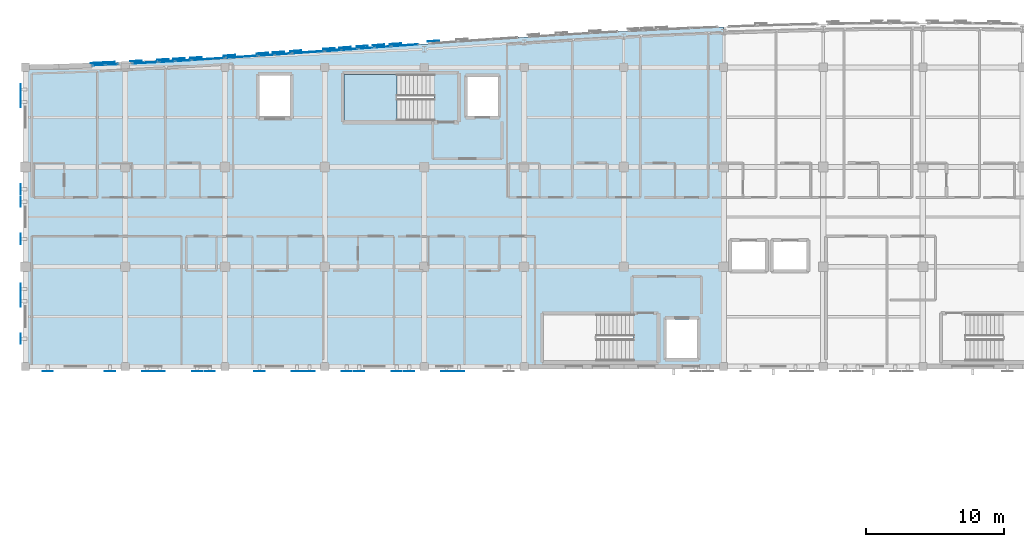
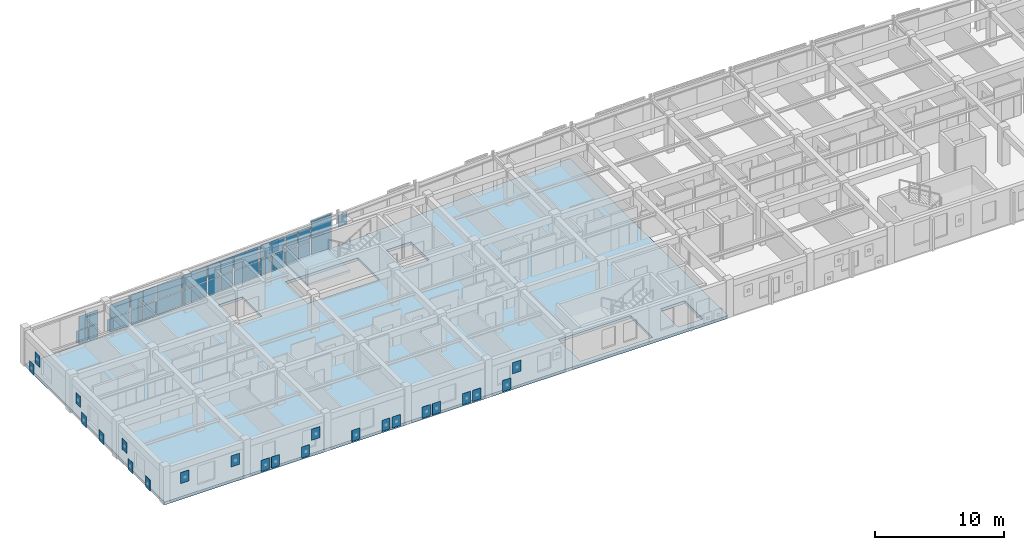
# One storey, part 51 of 73: 69 plates, 2 slabs, 11 elements without a shape of their own.
"""IFC4 building model written with IfcOpenShell, lengths in metres."""

from ifc_helpers import new_model, si_unit, direction, frame, origin, origin_2d, place, context, subcontext, project, spatial, polyline, rectangle, outline, extrude, material, layer, layer_set, type_object, element, aggregate, save


model = new_model("IFC4")

# Units and contexts
model_context = context("Model", 3, precision=1e-05, world=origin(), true_north=direction((0.0, 1.0)))
body_context = subcontext(model_context, "Body", "Model", "MODEL_VIEW")
ifc_project = project(units=[si_unit("LENGTHUNIT", "METRE"), si_unit("AREAUNIT", "SQUARE_METRE"), si_unit("VOLUMEUNIT", "CUBIC_METRE"), si_unit("PLANEANGLEUNIT", "RADIAN"), si_unit("MASSUNIT", "GRAM", prefix="KILO")], contexts=[model_context])

# Site, building, storey
site_placement = place(None, origin())
site = spatial("IfcSite", under=ifc_project, at=site_placement, CompositionType="ELEMENT")
building_placement = place(site_placement, origin())
building = spatial("IfcBuilding", under=site, at=building_placement, Name="Carrowvane Square Congress Hotel", CompositionType="ELEMENT")
storey_placement = place(building_placement, frame((0.0, 0.0, 19.199951171875)))
storey = spatial("IfcBuildingStorey", under=building, at=storey_placement, Name="L04", CompositionType="ELEMENT", Elevation=19.199951171875)

# Curtain wall, plates
ifc_material_1 = material(Name="Anodised aluminium", Category="aluminium")
ifc_layer_1 = layer(ifc_material_1, 0.18603515625)
ifc_layer_set_1 = layer_set([ifc_layer_1], Name="Anodised aluminium")
curtain_wall_type_1 = type_object("IfcCurtainWallType", Name="CW-SYS-3", PredefinedType="NOTDEFINED", material=ifc_layer_set_1)
curtain_wall_1_placement = place(storey_placement, origin())
curtain_wall_1 = element("IfcCurtainWall", 1, at=curtain_wall_1_placement, inside=storey, type_object=curtain_wall_type_1, Name="L04 unitised curtain wall 250", PredefinedType="NOTDEFINED")
ifc_material_2 = material(Name="Double-glazed low-E glass", Category="glass")
ifc_layer_2 = layer(ifc_material_2, 0.028076171875)
ifc_layer_set_2 = layer_set([ifc_layer_2], Name="Double-glazed low-E glass")
plate_type_1 = type_object("IfcPlateType", Name="CW-PAN-1", PredefinedType="CURTAIN_PANEL", material=ifc_layer_set_2)
plate_1_placement = place(storey_placement, frame((46.39990234375, 113.999267578125, 0.06005859375), z_axis=(0.0, 0.0, 1.0), x_axis=(0.997996225303, 0.063273487972, 0.0)))
plate_1 = element("IfcPlate", 2, at=plate_1_placement, type_object=plate_type_1, Name="CW-3 panel 1.1", PredefinedType="CURTAIN_PANEL", context=body_context, shape_type="SweptSolid", body=[
    extrude(rectangle(XDim=2.284912109375, YDim=0.028076171875, at=origin_2d()), origin(), (0.0, 0.0, 1.0), 1.372802734375),
])
plate_2_placement = place(storey_placement, frame((46.39990234375, 113.999267578125, 1.49267578125), z_axis=(0.0, 0.0, 1.0), x_axis=(0.997996225303, 0.063273487972, 0.0)))
plate_2 = element("IfcPlate", 3, at=plate_2_placement, type_object=plate_type_1, Name="CW-3 panel 1.2", PredefinedType="CURTAIN_PANEL", context=body_context, shape_type="SweptSolid", body=[
    extrude(rectangle(XDim=2.284912109375, YDim=0.028076171875, at=origin_2d()), origin(), (0.0, 0.0, 1.0), 1.372802734375),
])
aggregate(curtain_wall_1, [plate_1, plate_2])

ifc_material_3 = material(Name="Anodised aluminium", Category="aluminium")
ifc_layer_3 = layer(ifc_material_3, 0.24609375)
ifc_layer_set_3 = layer_set([ifc_layer_3], Name="Anodised aluminium")
curtain_wall_type_2 = type_object("IfcCurtainWallType", Name="CW-SYS-8", PredefinedType="NOTDEFINED", material=ifc_layer_set_3)
curtain_wall_2_placement = place(storey_placement, origin())
curtain_wall_2 = element("IfcCurtainWall", 4, at=curtain_wall_2_placement, inside=storey, type_object=curtain_wall_type_2, Name="L04 unitised curtain wall 255", PredefinedType="NOTDEFINED")
plate_3_placement = place(storey_placement, frame((57.8173828125, 114.787353515625, 0.070068359375), z_axis=(0.0, 0.0, 1.0), x_axis=(0.997438322595, 0.071531759512, 0.0)))
plate_3 = element("IfcPlate", 5, at=plate_3_placement, type_object=plate_type_1, Name="CW-8 panel 1.1", PredefinedType="CURTAIN_PANEL", context=body_context, shape_type="SweptSolid", body=[
    extrude(rectangle(XDim=1.09814453125, YDim=0.028076171875, at=origin_2d()), origin(), (0.0, 0.0, 1.0), 1.35791015625),
])
plate_4_placement = place(storey_placement, frame((57.8173828125, 114.787353515625, 1.497802734375), z_axis=(0.0, 0.0, 1.0), x_axis=(0.997438322595, 0.071531759512, 0.0)))
plate_4 = element("IfcPlate", 6, at=plate_4_placement, type_object=plate_type_1, Name="CW-8 panel 1.2", PredefinedType="CURTAIN_PANEL", context=body_context, shape_type="SweptSolid", body=[
    extrude(rectangle(XDim=1.09814453125, YDim=0.028076171875, at=origin_2d()), origin(), (0.0, 0.0, 1.0), 1.35791015625),
])
plate_5_placement = place(storey_placement, frame((58.982666015625, 114.870849609375, 0.070068359375), z_axis=(0.0, 0.0, 1.0), x_axis=(0.997438322595, 0.071531759512, 0.0)))
plate_5 = element("IfcPlate", 7, at=plate_5_placement, type_object=plate_type_1, Name="CW-8 panel 2.1", PredefinedType="CURTAIN_PANEL", context=body_context, shape_type="SweptSolid", body=[
    extrude(rectangle(XDim=1.09814453125, YDim=0.028076171875, at=origin_2d()), origin(), (0.0, 0.0, 1.0), 1.35791015625),
])
plate_6_placement = place(storey_placement, frame((58.982666015625, 114.870849609375, 1.497802734375), z_axis=(0.0, 0.0, 1.0), x_axis=(0.997438322595, 0.071531759512, 0.0)))
plate_6 = element("IfcPlate", 8, at=plate_6_placement, type_object=plate_type_1, Name="CW-8 panel 2.2", PredefinedType="CURTAIN_PANEL", context=body_context, shape_type="SweptSolid", body=[
    extrude(rectangle(XDim=1.09814453125, YDim=0.028076171875, at=origin_2d()), origin(), (0.0, 0.0, 1.0), 1.35791015625),
])
aggregate(curtain_wall_2, [plate_3, plate_4, plate_5, plate_6])

ifc_material_4 = material(Name="Anodised aluminium", Category="aluminium")
ifc_layer_4 = layer(ifc_material_4, 0.197998046875)
ifc_layer_set_4 = layer_set([ifc_layer_4], Name="Anodised aluminium")
curtain_wall_type_3 = type_object("IfcCurtainWallType", Name="CW-SYS-4", PredefinedType="NOTDEFINED", material=ifc_layer_set_4)
curtain_wall_3_placement = place(storey_placement, origin())
curtain_wall_3 = element("IfcCurtainWall", 9, at=curtain_wall_3_placement, inside=storey, type_object=curtain_wall_type_3, Name="L04 unitised curtain wall 251", PredefinedType="NOTDEFINED")
ifc_material_5 = material(Name="Double-glazed low-E glass", Category="glass")
ifc_layer_5 = layer(ifc_material_5, 0.031982421875)
ifc_layer_set_5 = layer_set([ifc_layer_5], Name="Double-glazed low-E glass")
plate_type_2 = type_object("IfcPlateType", Name="CW-PAN-2", PredefinedType="CURTAIN_PANEL", material=ifc_layer_set_5)
plate_7_placement = place(storey_placement, frame((48.800048828125, 114.155517578125, 0.070068359375), z_axis=(0.0, 0.0, 1.0), x_axis=(0.99778121937, 0.066578061501, 0.0)))
plate_7 = element("IfcPlate", 10, at=plate_7_placement, type_object=plate_type_2, Name="CW-4 panel 1.1", PredefinedType="CURTAIN_PANEL", context=body_context, shape_type="SweptSolid", body=[
    extrude(rectangle(XDim=2.265380859375, YDim=0.031982421875, at=origin_2d()), origin(), (0.0, 0.0, 1.0), 1.35791015625),
])
plate_8_placement = place(storey_placement, frame((48.800048828125, 114.155517578125, 1.497802734375), z_axis=(0.0, 0.0, 1.0), x_axis=(0.99778121937, 0.066578061501, 0.0)))
plate_8 = element("IfcPlate", 11, at=plate_8_placement, type_object=plate_type_2, Name="CW-4 panel 1.2", PredefinedType="CURTAIN_PANEL", context=body_context, shape_type="SweptSolid", body=[
    extrude(rectangle(XDim=2.265380859375, YDim=0.031982421875, at=origin_2d()), origin(), (0.0, 0.0, 1.0), 1.35791015625),
])
aggregate(curtain_wall_3, [plate_7, plate_8])

ifc_material_6 = material(Name="Anodised aluminium", Category="aluminium")
ifc_layer_6 = layer(ifc_material_6, 0.162109375)
ifc_layer_set_6 = layer_set([ifc_layer_6], Name="Anodised aluminium")
curtain_wall_type_4 = type_object("IfcCurtainWallType", Name="CW-SYS-1", PredefinedType="NOTDEFINED", material=ifc_layer_set_6)
curtain_wall_4_placement = place(storey_placement, origin())
curtain_wall_4 = element("IfcCurtainWall", 12, at=curtain_wall_4_placement, inside=storey, type_object=curtain_wall_type_4, Name="L04 unitised curtain wall 256", PredefinedType="NOTDEFINED")
plate_9_placement = place(storey_placement, frame((60.5947265625, 114.986083984375, 0.06005859375), z_axis=(0.0, 0.0, 1.0), x_axis=(0.997479146426, 0.070960217342, 0.0)))
plate_9 = element("IfcPlate", 13, at=plate_9_placement, type_object=plate_type_2, Name="CW-1 panel 1.1", PredefinedType="CURTAIN_PANEL", context=body_context, shape_type="SweptSolid", body=[
    extrude(rectangle(XDim=1.87451171875, YDim=0.031982421875, at=origin_2d()), origin(), (0.0, 0.0, 1.0), 1.5849609375),
])
plate_10_placement = place(storey_placement, frame((60.5947265625, 114.986083984375, 1.705078125), z_axis=(0.0, 0.0, 1.0), x_axis=(0.997479146426, 0.070960217342, 0.0)))
plate_10 = element("IfcPlate", 14, at=plate_10_placement, type_object=plate_type_2, Name="CW-1 panel 1.2", PredefinedType="CURTAIN_PANEL", context=body_context, shape_type="SweptSolid", body=[
    extrude(rectangle(XDim=1.87451171875, YDim=0.031982421875, at=origin_2d()), origin(), (0.0, 0.0, 1.0), 1.5849609375),
])
aggregate(curtain_wall_4, [plate_9, plate_10])

curtain_wall_5_placement = place(storey_placement, origin())
curtain_wall_5 = element("IfcCurtainWall", 15, at=curtain_wall_5_placement, inside=storey, type_object=curtain_wall_type_2, Name="L04 unitised curtain wall 247", PredefinedType="NOTDEFINED")
ifc_material_7 = material(Name="Double-glazed low-E glass", Category="glass")
ifc_layer_7 = layer(ifc_material_7, 0.035888671875)
ifc_layer_set_7 = layer_set([ifc_layer_7], Name="Double-glazed low-E glass")
plate_type_3 = type_object("IfcPlateType", Name="CW-PAN-3", PredefinedType="CURTAIN_PANEL", material=ifc_layer_set_7)
plate_11_placement = place(storey_placement, frame((38.495361328125, 113.56396484375, 0.0703125), z_axis=(0.0, 0.0, 1.0), x_axis=(0.998917263935, 0.046522035775, 0.0)))
plate_11 = element("IfcPlate", 16, at=plate_11_placement, type_object=plate_type_3, Name="CW-8 panel 1.1", PredefinedType="CURTAIN_PANEL", context=body_context, shape_type="SweptSolid", body=[
    extrude(rectangle(XDim=0.851806640625, YDim=0.035888671875, at=origin_2d()), origin(), (0.0, 0.0, 1.0), 1.262451171875),
])
plate_12_placement = place(storey_placement, frame((38.495361328125, 113.56396484375, 1.40234375), z_axis=(0.0, 0.0, 1.0), x_axis=(0.998917263935, 0.046522035775, 0.0)))
plate_12 = element("IfcPlate", 17, at=plate_12_placement, type_object=plate_type_3, Name="CW-8 panel 1.2", PredefinedType="CURTAIN_PANEL", context=body_context, shape_type="SweptSolid", body=[
    extrude(rectangle(XDim=0.851806640625, YDim=0.035888671875, at=origin_2d()), origin(), (0.0, 0.0, 1.0), 1.262451171875),
])
plate_13_placement = place(storey_placement, frame((39.416015625, 113.60693359375, 0.0703125), z_axis=(0.0, 0.0, 1.0), x_axis=(0.998917263935, 0.046522035775, 0.0)))
plate_13 = element("IfcPlate", 18, at=plate_13_placement, type_object=plate_type_3, Name="CW-8 panel 2.1", PredefinedType="CURTAIN_PANEL", context=body_context, shape_type="SweptSolid", body=[
    extrude(rectangle(XDim=0.851806640625, YDim=0.035888671875, at=origin_2d()), origin(), (0.0, 0.0, 1.0), 1.262451171875),
])
plate_14_placement = place(storey_placement, frame((39.416015625, 113.60693359375, 1.40234375), z_axis=(0.0, 0.0, 1.0), x_axis=(0.998917263935, 0.046522035775, 0.0)))
plate_14 = element("IfcPlate", 19, at=plate_14_placement, type_object=plate_type_3, Name="CW-8 panel 2.2", PredefinedType="CURTAIN_PANEL", context=body_context, shape_type="SweptSolid", body=[
    extrude(rectangle(XDim=0.851806640625, YDim=0.035888671875, at=origin_2d()), origin(), (0.0, 0.0, 1.0), 1.262451171875),
])
aggregate(curtain_wall_5, [plate_11, plate_12, plate_13, plate_14])

ifc_material_8 = material(Name="Anodised aluminium", Category="aluminium")
ifc_layer_8 = layer(ifc_material_8, 0.2099609375)
ifc_layer_set_8 = layer_set([ifc_layer_8], Name="Anodised aluminium")
curtain_wall_type_5 = type_object("IfcCurtainWallType", Name="CW-SYS-5", PredefinedType="NOTDEFINED", material=ifc_layer_set_8)
curtain_wall_6_placement = place(storey_placement, origin())
curtain_wall_6 = element("IfcCurtainWall", 20, at=curtain_wall_6_placement, inside=storey, type_object=curtain_wall_type_5, Name="L04 unitised curtain wall 252", PredefinedType="NOTDEFINED")
plate_15_placement = place(storey_placement, frame((50.614990234375, 114.278076171875, 0.06005859375), z_axis=(0.0, 0.0, 1.0), x_axis=(0.997617619706, 0.068986120725, 0.0)))
plate_15 = element("IfcPlate", 21, at=plate_15_placement, type_object=plate_type_3, Name="CW-5 panel 1.1", PredefinedType="CURTAIN_PANEL", context=body_context, shape_type="SweptSolid", body=[
    extrude(rectangle(XDim=1.11279296875, YDim=0.035888671875, at=origin_2d()), origin(), (0.0, 0.0, 1.0), 1.372802734375),
])
plate_16_placement = place(storey_placement, frame((50.614990234375, 114.278076171875, 1.49267578125), z_axis=(0.0, 0.0, 1.0), x_axis=(0.997617619706, 0.068986120725, 0.0)))
plate_16 = element("IfcPlate", 22, at=plate_16_placement, type_object=plate_type_3, Name="CW-5 panel 1.2", PredefinedType="CURTAIN_PANEL", context=body_context, shape_type="SweptSolid", body=[
    extrude(rectangle(XDim=1.11279296875, YDim=0.035888671875, at=origin_2d()), origin(), (0.0, 0.0, 1.0), 1.372802734375),
])
plate_17_placement = place(storey_placement, frame((51.784912109375, 114.35888671875, 0.06005859375), z_axis=(0.0, 0.0, 1.0), x_axis=(0.997617619706, 0.068986120725, 0.0)))
plate_17 = element("IfcPlate", 23, at=plate_17_placement, type_object=plate_type_3, Name="CW-5 panel 2.1", PredefinedType="CURTAIN_PANEL", context=body_context, shape_type="SweptSolid", body=[
    extrude(rectangle(XDim=1.11279296875, YDim=0.035888671875, at=origin_2d()), origin(), (0.0, 0.0, 1.0), 1.372802734375),
])
plate_18_placement = place(storey_placement, frame((51.784912109375, 114.35888671875, 1.49267578125), z_axis=(0.0, 0.0, 1.0), x_axis=(0.997617619706, 0.068986120725, 0.0)))
plate_18 = element("IfcPlate", 24, at=plate_18_placement, type_object=plate_type_3, Name="CW-5 panel 2.2", PredefinedType="CURTAIN_PANEL", context=body_context, shape_type="SweptSolid", body=[
    extrude(rectangle(XDim=1.11279296875, YDim=0.035888671875, at=origin_2d()), origin(), (0.0, 0.0, 1.0), 1.372802734375),
])
aggregate(curtain_wall_6, [plate_15, plate_16, plate_17, plate_18])

curtain_wall_7_placement = place(storey_placement, origin())
curtain_wall_7 = element("IfcCurtainWall", 25, at=curtain_wall_7_placement, inside=storey, type_object=curtain_wall_type_4, Name="L04 unitised curtain wall 248", PredefinedType="NOTDEFINED")
ifc_material_9 = material(Name="Double-glazed low-E glass", Category="glass")
ifc_layer_9 = layer(ifc_material_9, 0.0419921875)
ifc_layer_set_9 = layer_set([ifc_layer_9], Name="Double-glazed low-E glass")
plate_type_4 = type_object("IfcPlateType", Name="CW-PAN-4", PredefinedType="CURTAIN_PANEL", material=ifc_layer_set_9)
plate_19_placement = place(storey_placement, frame((41.83154296875, 113.7294921875, 0.06005859375), z_axis=(0.0, 0.0, 1.0), x_axis=(0.998567109091, 0.053513817306, 0.0)))
plate_19 = element("IfcPlate", 26, at=plate_19_placement, type_object=plate_type_4, Name="CW-1 panel 1.1", PredefinedType="CURTAIN_PANEL", context=body_context, shape_type="SweptSolid", body=[
    extrude(rectangle(XDim=1.819580078125, YDim=0.0419921875, at=origin_2d()), origin(), (0.0, 0.0, 1.0), 1.277587890625),
])
plate_20_placement = place(storey_placement, frame((41.83154296875, 113.7294921875, 1.3974609375), z_axis=(0.0, 0.0, 1.0), x_axis=(0.998567109091, 0.053513817306, 0.0)))
plate_20 = element("IfcPlate", 27, at=plate_20_placement, type_object=plate_type_4, Name="CW-1 panel 1.2", PredefinedType="CURTAIN_PANEL", context=body_context, shape_type="SweptSolid", body=[
    extrude(rectangle(XDim=1.819580078125, YDim=0.0419921875, at=origin_2d()), origin(), (0.0, 0.0, 1.0), 1.277587890625),
])
aggregate(curtain_wall_7, [plate_19, plate_20])

ifc_material_10 = material(Name="Anodised aluminium", Category="aluminium")
ifc_layer_10 = layer(ifc_material_10, 0.221923828125)
ifc_layer_set_10 = layer_set([ifc_layer_10], Name="Anodised aluminium")
curtain_wall_type_6 = type_object("IfcCurtainWallType", Name="CW-SYS-6", PredefinedType="NOTDEFINED", material=ifc_layer_set_10)
curtain_wall_8_placement = place(storey_placement, origin())
curtain_wall_8 = element("IfcCurtainWall", 28, at=curtain_wall_8_placement, inside=storey, type_object=curtain_wall_type_6, Name="L04 unitised curtain wall 253", PredefinedType="NOTDEFINED")
plate_21_placement = place(storey_placement, frame((53.60009765625, 114.486328125, 0.070068359375), z_axis=(0.0, 0.0, 1.0), x_axis=(0.997505697746, 0.070585996942, 0.0)))
plate_21 = element("IfcPlate", 29, at=plate_21_placement, type_object=plate_type_4, Name="CW-6 panel 1.1", PredefinedType="CURTAIN_PANEL", context=body_context, shape_type="SweptSolid", body=[
    extrude(rectangle(XDim=2.26611328125, YDim=0.0419921875, at=origin_2d()), origin(), (0.0, 0.0, 1.0), 1.35791015625),
])
plate_22_placement = place(storey_placement, frame((53.60009765625, 114.486328125, 1.497802734375), z_axis=(0.0, 0.0, 1.0), x_axis=(0.997505697746, 0.070585996942, 0.0)))
plate_22 = element("IfcPlate", 30, at=plate_22_placement, type_object=plate_type_4, Name="CW-6 panel 1.2", PredefinedType="CURTAIN_PANEL", context=body_context, shape_type="SweptSolid", body=[
    extrude(rectangle(XDim=2.26611328125, YDim=0.0419921875, at=origin_2d()), origin(), (0.0, 0.0, 1.0), 1.35791015625),
])
aggregate(curtain_wall_8, [plate_21, plate_22])

ifc_material_11 = material(Name="Anodised aluminium", Category="aluminium")
ifc_layer_11 = layer(ifc_material_11, 0.174072265625)
ifc_layer_set_11 = layer_set([ifc_layer_11], Name="Anodised aluminium")
curtain_wall_type_7 = type_object("IfcCurtainWallType", Name="CW-SYS-2", PredefinedType="NOTDEFINED", material=ifc_layer_set_11)
curtain_wall_9_placement = place(storey_placement, origin())
curtain_wall_9 = element("IfcCurtainWall", 31, at=curtain_wall_9_placement, inside=storey, type_object=curtain_wall_type_7, Name="L04 unitised curtain wall 249", PredefinedType="NOTDEFINED")
ifc_material_12 = material(Name="Double-glazed low-E glass", Category="glass")
ifc_layer_12 = layer(ifc_material_12, 0.048095703125)
ifc_layer_set_12 = layer_set([ifc_layer_12], Name="Double-glazed low-E glass")
plate_type_5 = type_object("IfcPlateType", Name="CW-PAN-5", PredefinedType="CURTAIN_PANEL", material=ifc_layer_set_12)
plate_23_placement = place(storey_placement, frame((43.41748046875, 113.81787109375, 0.070068359375), z_axis=(0.0, 0.0, 1.0), x_axis=(0.99825866099, 0.058988522254, 0.0)))
plate_23 = element("IfcPlate", 32, at=plate_23_placement, type_object=plate_type_5, Name="CW-2 panel 1.1", PredefinedType="CURTAIN_PANEL", context=body_context, shape_type="SweptSolid", body=[
    extrude(rectangle(XDim=1.09716796875, YDim=0.048095703125, at=origin_2d()), origin(), (0.0, 0.0, 1.0), 1.35791015625),
])
plate_24_placement = place(storey_placement, frame((43.41748046875, 113.81787109375, 1.497802734375), z_axis=(0.0, 0.0, 1.0), x_axis=(0.99825866099, 0.058988522254, 0.0)))
plate_24 = element("IfcPlate", 33, at=plate_24_placement, type_object=plate_type_5, Name="CW-2 panel 1.2", PredefinedType="CURTAIN_PANEL", context=body_context, shape_type="SweptSolid", body=[
    extrude(rectangle(XDim=1.09716796875, YDim=0.048095703125, at=origin_2d()), origin(), (0.0, 0.0, 1.0), 1.35791015625),
])
plate_25_placement = place(storey_placement, frame((44.58251953125, 113.88671875, 0.070068359375), z_axis=(0.0, 0.0, 1.0), x_axis=(0.99825866099, 0.058988522254, 0.0)))
plate_25 = element("IfcPlate", 34, at=plate_25_placement, type_object=plate_type_5, Name="CW-2 panel 2.1", PredefinedType="CURTAIN_PANEL", context=body_context, shape_type="SweptSolid", body=[
    extrude(rectangle(XDim=1.09716796875, YDim=0.048095703125, at=origin_2d()), origin(), (0.0, 0.0, 1.0), 1.35791015625),
])
plate_26_placement = place(storey_placement, frame((44.58251953125, 113.88671875, 1.497802734375), z_axis=(0.0, 0.0, 1.0), x_axis=(0.99825866099, 0.058988522254, 0.0)))
plate_26 = element("IfcPlate", 35, at=plate_26_placement, type_object=plate_type_5, Name="CW-2 panel 2.2", PredefinedType="CURTAIN_PANEL", context=body_context, shape_type="SweptSolid", body=[
    extrude(rectangle(XDim=1.09716796875, YDim=0.048095703125, at=origin_2d()), origin(), (0.0, 0.0, 1.0), 1.35791015625),
])
aggregate(curtain_wall_9, [plate_23, plate_24, plate_25, plate_26])

ifc_material_13 = material(Name="Anodised aluminium", Category="aluminium")
ifc_layer_13 = layer(ifc_material_13, 0.23388671875)
ifc_layer_set_13 = layer_set([ifc_layer_13], Name="Anodised aluminium")
curtain_wall_type_8 = type_object("IfcCurtainWallType", Name="CW-SYS-7", PredefinedType="NOTDEFINED", material=ifc_layer_set_13)
curtain_wall_10_placement = place(storey_placement, origin())
curtain_wall_10 = element("IfcCurtainWall", 36, at=curtain_wall_10_placement, inside=storey, type_object=curtain_wall_type_8, Name="L04 unitised curtain wall 254", PredefinedType="NOTDEFINED")
plate_27_placement = place(storey_placement, frame((55.4150390625, 114.615234375, 0.06005859375), z_axis=(0.0, 0.0, 1.0), x_axis=(0.997446448898, 0.071418356042, 0.0)))
plate_27 = element("IfcPlate", 37, at=plate_27_placement, type_object=plate_type_5, Name="CW-7 panel 1.1", PredefinedType="CURTAIN_PANEL", context=body_context, shape_type="SweptSolid", body=[
    extrude(rectangle(XDim=1.113037109375, YDim=0.048095703125, at=origin_2d()), origin(), (0.0, 0.0, 1.0), 1.372802734375),
])
plate_28_placement = place(storey_placement, frame((55.4150390625, 114.615234375, 1.49267578125), z_axis=(0.0, 0.0, 1.0), x_axis=(0.997446448898, 0.071418356042, 0.0)))
plate_28 = element("IfcPlate", 38, at=plate_28_placement, type_object=plate_type_5, Name="CW-7 panel 1.2", PredefinedType="CURTAIN_PANEL", context=body_context, shape_type="SweptSolid", body=[
    extrude(rectangle(XDim=1.113037109375, YDim=0.048095703125, at=origin_2d()), origin(), (0.0, 0.0, 1.0), 1.372802734375),
])
plate_29_placement = place(storey_placement, frame((56.5849609375, 114.698974609375, 0.06005859375), z_axis=(0.0, 0.0, 1.0), x_axis=(0.997446448898, 0.071418356042, 0.0)))
plate_29 = element("IfcPlate", 39, at=plate_29_placement, type_object=plate_type_5, Name="CW-7 panel 2.1", PredefinedType="CURTAIN_PANEL", context=body_context, shape_type="SweptSolid", body=[
    extrude(rectangle(XDim=1.113037109375, YDim=0.048095703125, at=origin_2d()), origin(), (0.0, 0.0, 1.0), 1.372802734375),
])
plate_30_placement = place(storey_placement, frame((56.5849609375, 114.698974609375, 1.49267578125), z_axis=(0.0, 0.0, 1.0), x_axis=(0.997446448898, 0.071418356042, 0.0)))
plate_30 = element("IfcPlate", 40, at=plate_30_placement, type_object=plate_type_5, Name="CW-7 panel 2.2", PredefinedType="CURTAIN_PANEL", context=body_context, shape_type="SweptSolid", body=[
    extrude(rectangle(XDim=1.113037109375, YDim=0.048095703125, at=origin_2d()), origin(), (0.0, 0.0, 1.0), 1.372802734375),
])
aggregate(curtain_wall_10, [plate_27, plate_28, plate_29, plate_30])

# Plates
ifc_material_14 = material(Name="Champagne-gold anodised aluminium", Category="aluminium")
ifc_layer_14 = layer(ifc_material_14, 0.011962890625)
ifc_layer_set_14 = layer_set([ifc_layer_14], Name="Champagne-gold anodised aluminium")
plate_type_6 = type_object("IfcPlateType", Name="PLT-PIX-GOLD12", PredefinedType="SHEET", material=ifc_layer_set_14)
for number, where, z_axis, x_axis, name in (
    (41, (32.85400390625, 93.800048828125, 0.15478515625), (0.0, 0.0, 1.0), (0.0, 1.0, 0.0), "Champagne-gold pixel screen plate S-289"),
    (42, (32.85400390625, 96.5, 0.15478515625), (0.0, 0.0, 1.0), (0.0, 1.0, 0.0), "Champagne-gold pixel screen plate S-290"),
    (43, (32.85400390625, 97.39990234375, 1.51025390625), (0.0, 0.0, 1.0), (0.0, 1.0, 0.0), "Champagne-gold pixel screen plate S-291"),
    (44, (32.85400390625, 110.89990234375, 1.51025390625), (0.0, 0.0, 1.0), (0.0, 1.0, 0.0), "Champagne-gold pixel screen plate S-295"),
    (45, (32.85400390625, 111.800048828125, 0.15478515625), (0.0, 0.0, 1.0), (0.0, 1.0, 0.0), "Champagne-gold pixel screen plate S-296"),
):
    element("IfcPlate", number, at=place(storey_placement, frame(where, z_axis=z_axis, x_axis=x_axis)), inside=storey, type_object=plate_type_6, Name=name, PredefinedType="SHEET", context=body_context, shape_type="SweptSolid", body=[
        extrude(rectangle(XDim=0.738037109375, YDim=0.011962890625, at=origin_2d()), origin(), (0.0, 0.0, 1.0), 1.050048828125),
    ])
for number, where, z_axis, x_axis, name in (
    (46, (38.3076171875, 113.721435546875, 0.119873046875), (0.0, 0.0, 1.0), (0.99891730083, 0.046521243556, 0.0), "Champagne-gold pixel screen plate 297"),
    (47, (39.228271484375, 113.764404296875, 0.119873046875), (0.0, 0.0, 1.0), (0.99891730083, 0.046521243556, 0.0), "Champagne-gold pixel screen plate 298"),
):
    element("IfcPlate", number, at=place(storey_placement, frame(where, z_axis=z_axis, x_axis=x_axis)), inside=storey, type_object=plate_type_6, Name=name, PredefinedType="SHEET", context=body_context, shape_type="SweptSolid", body=[
        extrude(rectangle(XDim=0.8017578125, YDim=0.011962890625, at=origin_2d()), origin(), (0.0, 0.0, 1.0), 1.1201171875),
    ])
for number, where, z_axis, x_axis, name in (
    (48, (43.114501953125, 113.96630859375, 1.590087890625), (0.0, 0.0, 1.0), (0.998258866948, 0.05898503675, 0.0), "Champagne-gold pixel screen plate 300"),
    (49, (44.279541015625, 114.03515625, 1.590087890625), (0.0, 0.0, 1.0), (0.998258866948, 0.05898503675, 0.0), "Champagne-gold pixel screen plate 301"),
    (50, (47.9130859375, 114.2626953125, 1.590087890625), (0.0, 0.0, 1.0), (0.997781458784, 0.066574473385, 0.0), "Champagne-gold pixel screen plate 303"),
    (51, (52.712158203125, 114.58984375, 1.590087890625), (0.0, 0.0, 1.0), (0.997505756275, 0.070585169822, 0.0), "Champagne-gold pixel screen plate 306"),
    (52, (57.51220703125, 114.931884765625, 0.119873046875), (0.0, 0.0, 1.0), (0.997438267187, 0.071532532122, 0.0), "Champagne-gold pixel screen plate 309"),
    (53, (58.67724609375, 115.015380859375, 1.590087890625), (0.0, 0.0, 1.0), (0.997438267187, 0.071532532122, 0.0), "Champagne-gold pixel screen plate 310"),
    (54, (62.669677734375, 115.299072265625, 1.590087890625), (0.0, 0.0, 1.0), (0.997566258056, 0.069724893606, 0.0), "Champagne-gold pixel screen plate 312"),
):
    element("IfcPlate", number, at=place(storey_placement, frame(where, z_axis=z_axis, x_axis=x_axis)), inside=storey, type_object=plate_type_6, Name=name, PredefinedType="SHEET", context=body_context, shape_type="SweptSolid", body=[
        extrude(rectangle(XDim=0.827880859375, YDim=0.011962890625, at=origin_2d()), origin(), (0.0, 0.0, 1.0), 1.1201171875),
    ])
for number, where, z_axis, x_axis, name in (
    (55, (60.89990234375, 91.4541015625, 0.15478515625), (0.0, 0.0, 1.0), (-1.0, 0.0, 0.0), "Champagne-gold pixel screen plate S-384"),
    (56, (60.0, 91.4541015625, 0.15478515625), (0.0, 0.0, 1.0), (-1.0, 0.0, 0.0), "Champagne-gold pixel screen plate S-385"),
    (57, (57.300048828125, 91.4541015625, 0.15478515625), (0.0, 0.0, 1.0), (-1.0, 0.0, 0.0), "Champagne-gold pixel screen plate S-386"),
    (58, (56.39990234375, 91.4541015625, 0.15478515625), (0.0, 0.0, 1.0), (-1.0, 0.0, 0.0), "Champagne-gold pixel screen plate S-387"),
    (59, (46.5, 91.4541015625, 1.52490234375), (0.0, 0.0, 1.0), (-1.0, 0.0, 0.0), "Champagne-gold pixel screen plate S-391"),
    (60, (45.60009765625, 91.4541015625, 0.15478515625), (0.0, 0.0, 1.0), (-1.0, 0.0, 0.0), "Champagne-gold pixel screen plate S-392"),
    (61, (42.89990234375, 91.4541015625, 0.15478515625), (0.0, 0.0, 1.0), (-1.0, 0.0, 0.0), "Champagne-gold pixel screen plate S-393"),
    (62, (42.0, 91.4541015625, 0.15478515625), (0.0, 0.0, 1.0), (-1.0, 0.0, 0.0), "Champagne-gold pixel screen plate S-394"),
):
    element("IfcPlate", number, at=place(storey_placement, frame(where, z_axis=z_axis, x_axis=x_axis)), inside=storey, type_object=plate_type_6, Name=name, PredefinedType="SHEET", context=body_context, shape_type="SweptSolid", body=[
        extrude(rectangle(XDim=0.738037109375, YDim=0.011962890625, at=origin_2d()), origin(), (0.0, 0.0, 1.0), 1.050048828125),
    ])
ifc_material_15 = material(Name="Champagne-gold anodised aluminium", Category="aluminium")
ifc_layer_15 = layer(ifc_material_15, 0.008056640625)
ifc_layer_set_15 = layer_set([ifc_layer_15], Name="Champagne-gold anodised aluminium")
plate_type_7 = type_object("IfcPlateType", Name="PLT-PIX-GOLD8", PredefinedType="SHEET", material=ifc_layer_set_15)
for number, where, z_axis, x_axis, name in (
    (63, (32.85595703125, 101.0, 0.15478515625), (0.0, 0.0, 1.0), (0.0, 1.0, 0.0), "Champagne-gold pixel screen plate S-292"),
    (64, (32.85595703125, 103.699951171875, 0.15478515625), (0.0, 0.0, 1.0), (0.0, 1.0, 0.0), "Champagne-gold pixel screen plate S-293"),
    (65, (32.85595703125, 104.60009765625, 1.51025390625), (0.0, 0.0, 1.0), (0.0, 1.0, 0.0), "Champagne-gold pixel screen plate S-294"),
):
    element("IfcPlate", number, at=place(storey_placement, frame(where, z_axis=z_axis, x_axis=x_axis)), inside=storey, type_object=plate_type_7, Name=name, PredefinedType="SHEET", context=body_context, shape_type="SweptSolid", body=[
        extrude(rectangle(XDim=0.738037109375, YDim=0.008056640625, at=origin_2d()), origin(), (0.0, 0.0, 1.0), 1.050048828125),
    ])
for number, where, z_axis, x_axis, name in (
    (66, (41.173828125, 113.8583984375, 0.119873046875), (0.0, 0.0, 1.0), (0.998566941363, 0.053516947007, 0.0), "Champagne-gold pixel screen plate 299"),
    (67, (45.5087890625, 114.107177734375, 0.119873046875), (0.0, 0.0, 1.0), (0.997996022269, 0.063276690295, 0.0), "Champagne-gold pixel screen plate 302"),
    (68, (50.3076171875, 114.421142578125, 1.590087890625), (0.0, 0.0, 1.0), (0.99761759323, 0.068986503591, 0.0), "Champagne-gold pixel screen plate 304"),
    (69, (51.477783203125, 114.501953125, 1.590087890625), (0.0, 0.0, 1.0), (0.99761759323, 0.068986503591, 0.0), "Champagne-gold pixel screen plate 305"),
    (70, (55.107177734375, 114.757568359375, 0.119873046875), (0.0, 0.0, 1.0), (0.997446326449, 0.071420066188, 0.0), "Champagne-gold pixel screen plate 307"),
    (71, (56.27734375, 114.841552734375, 1.590087890625), (0.0, 0.0, 1.0), (0.997446326449, 0.071420066188, 0.0), "Champagne-gold pixel screen plate 308"),
    (72, (59.907470703125, 115.1015625, 1.590087890625), (0.0, 0.0, 1.0), (0.997479379392, 0.070956942496, 0.0), "Champagne-gold pixel screen plate 311"),
):
    element("IfcPlate", number, at=place(storey_placement, frame(where, z_axis=z_axis, x_axis=x_axis)), inside=storey, type_object=plate_type_7, Name=name, PredefinedType="SHEET", context=body_context, shape_type="SweptSolid", body=[
        extrude(rectangle(XDim=0.827880859375, YDim=0.008056640625, at=origin_2d()), origin(), (0.0, 0.0, 1.0), 1.1201171875),
    ])
for number, where, z_axis, x_axis, name in (
    (73, (64.5, 91.4560546875, 1.52490234375), (0.0, 0.0, 1.0), (-1.0, 0.0, 0.0), "Champagne-gold pixel screen plate S-382"),
    (74, (63.60009765625, 91.4560546875, 0.15478515625), (0.0, 0.0, 1.0), (-1.0, 0.0, 0.0), "Champagne-gold pixel screen plate S-383"),
    (75, (53.699951171875, 91.4560546875, 0.15478515625), (0.0, 0.0, 1.0), (-1.0, 0.0, 0.0), "Champagne-gold pixel screen plate S-388"),
    (76, (52.800048828125, 91.4560546875, 0.15478515625), (0.0, 0.0, 1.0), (-1.0, 0.0, 0.0), "Champagne-gold pixel screen plate S-389"),
    (77, (50.10009765625, 91.4560546875, 0.15478515625), (0.0, 0.0, 1.0), (-1.0, 0.0, 0.0), "Champagne-gold pixel screen plate S-390"),
    (78, (39.300048828125, 91.4560546875, 1.52490234375), (0.0, 0.0, 1.0), (-1.0, 0.0, 0.0), "Champagne-gold pixel screen plate S-395"),
    (79, (34.800048828125, 91.4560546875, 1.52490234375), (0.0, 0.0, 1.0), (-1.0, 0.0, 0.0), "Champagne-gold pixel screen plate S-396"),
):
    element("IfcPlate", number, at=place(storey_placement, frame(where, z_axis=z_axis, x_axis=x_axis)), inside=storey, type_object=plate_type_7, Name=name, PredefinedType="SHEET", context=body_context, shape_type="SweptSolid", body=[
        extrude(rectangle(XDim=0.738037109375, YDim=0.008056640625, at=origin_2d()), origin(), (0.0, 0.0, 1.0), 1.050048828125),
    ])

# Slab
ifc_material_16 = material(Name="Concrete C35/45", Category="concrete")
ifc_layer_16 = layer(ifc_material_16, 0.260009765625)
ifc_layer_set_16 = layer_set([ifc_layer_16], Name="Concrete C35/45")
slab_type_1 = type_object("IfcSlabType", Name="SLB-FLR-260", PredefinedType="FLOOR", material=ifc_layer_set_16)
slab_1_placement = place(storey_placement, frame((0.0, 0.0, -0.260009765625)))
element("IfcSlab", 80, at=slab_1_placement, inside=storey, type_object=slab_type_1, Name="L04 Hotel Wing slab panel 1", PredefinedType="FLOOR", context=body_context, shape_type="SweptSolid", body=[
    extrude(outline(polyline([(33.199951171875, 91.800048828125), (83.60009765625, 91.800048828125), (83.60009765625, 116.323974609375), (81.199951171875, 116.2275390625), (78.800048828125, 116.118408203125), (76.39990234375, 115.99755859375), (74.0, 115.86572265625), (71.60009765625, 115.724365234375), (69.199951171875, 115.57421875), (66.800048828125, 115.4169921875), (64.39990234375, 115.253662109375), (62.0, 115.0859375), (59.60009765625, 114.915283203125), (57.199951171875, 114.7431640625), (54.800048828125, 114.5712890625), (52.39990234375, 114.4013671875), (50.0, 114.235595703125), (47.60009765625, 114.075439453125), (45.199951171875, 113.923095703125), (42.800048828125, 113.78125), (40.39990234375, 113.65283203125), (38.0, 113.541015625), (35.60009765625, 113.45166015625), (33.199951171875, 113.39990234375), (33.199951171875, 91.800048828125)]), holes=[polyline([(62.679931640625, 112.89990234375), (56.199951171875, 112.89990234375), (56.199951171875, 109.5400390625), (62.679931640625, 109.5400390625), (62.679931640625, 112.89990234375)]), polyline([(77.080078125, 95.56005859375), (70.60009765625, 95.56005859375), (70.60009765625, 92.199951171875), (77.080078125, 92.199951171875), (77.080078125, 95.56005859375)]), polyline([(65.10009765625, 109.89990234375), (67.300048828125, 109.89990234375), (67.300048828125, 112.699951171875), (65.10009765625, 112.699951171875), (65.10009765625, 109.89990234375)]), polyline([(79.5, 92.39990234375), (81.699951171875, 92.39990234375), (81.699951171875, 95.199951171875), (79.5, 95.199951171875), (79.5, 92.39990234375)]), polyline([(50.10009765625, 109.800048828125), (52.300048828125, 109.800048828125), (52.300048828125, 112.800048828125), (50.10009765625, 112.800048828125), (50.10009765625, 109.800048828125)])]), origin(), (0.0, 0.0, 1.0), 0.260009765625),
])

# Stair, slab
ifc_material_17 = material(Name="Concrete C35/45", Category="concrete")
stair_type = type_object("IfcStairType", Name="STR-DOG-02", PredefinedType="HALF_TURN_STAIR", material=ifc_material_17)
stair_placement = place(storey_placement, origin())
stair = element("IfcStair", 81, at=stair_placement, inside=storey, type_object=stair_type, Name="L04 Core C1 West Hotel Firefighting Stair", PredefinedType="HALF_TURN_STAIR")
ifc_material_18 = material(Name="Concrete C35/45", Category="concrete")
ifc_layer_17 = layer(ifc_material_18, 0.199951171875)
ifc_layer_set_17 = layer_set([ifc_layer_17], Name="Concrete C35/45")
slab_type_2 = type_object("IfcSlabType", Name="SLB-LND-200", PredefinedType="LANDING", material=ifc_layer_set_17)
slab_2_placement = place(storey_placement, frame((0.0, 0.0, 1.60009765625)))
slab_2 = element("IfcSlab", 82, at=slab_2_placement, type_object=slab_type_2, Name="ST1 landing 1", PredefinedType="LANDING", context=body_context, shape_type="SweptSolid", body=[
    extrude(outline(polyline([(60.02001953125, 112.89990234375), (56.199951171875, 112.89990234375), (56.199951171875, 109.5400390625), (60.02001953125, 109.5400390625), (60.02001953125, 112.89990234375)])), origin(), (0.0, 0.0, 1.0), 0.199951171875),
])
aggregate(stair, [slab_2])

save(model, "model.ifc")
